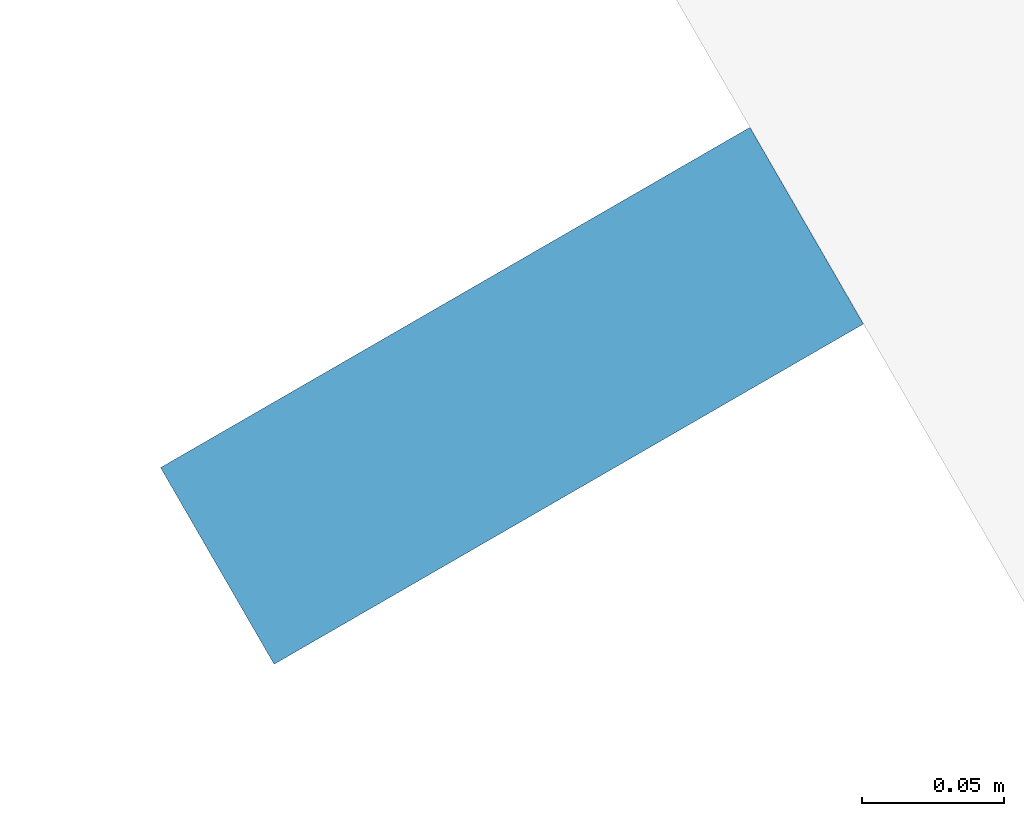
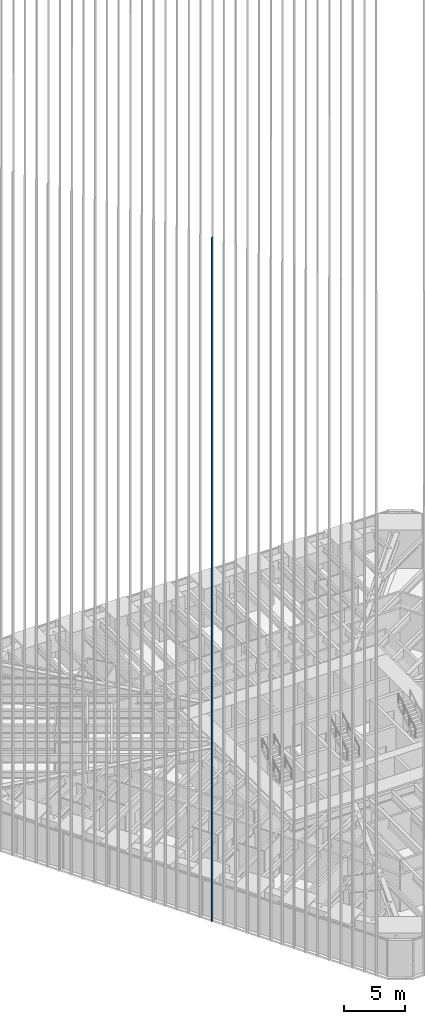
# One storey, part 10 of 256: 1 member, 1 element without a shape of its own.
"""IFC4 building model written with IfcOpenShell, lengths in metres."""

from ifc_helpers import new_model, si_unit, direction, frame, origin, origin_2d, place, context, subcontext, project, spatial, rectangle, extrude, material, material_profile, profile_set, type_object, element, aggregate, save


model = new_model("IFC4")

# Units and contexts
model_context = context("Model", 3, precision=1e-05, world=origin(), true_north=direction((0.0, 1.0)))
body_context = subcontext(model_context, "Body", "Model", "MODEL_VIEW")
ifc_project = project(units=[si_unit("LENGTHUNIT", "METRE"), si_unit("AREAUNIT", "SQUARE_METRE"), si_unit("VOLUMEUNIT", "CUBIC_METRE"), si_unit("PLANEANGLEUNIT", "RADIAN"), si_unit("MASSUNIT", "GRAM", prefix="KILO")], contexts=[model_context])

# Site, building, storey
site_placement = place(None, origin())
site = spatial("IfcSite", under=ifc_project, at=site_placement, CompositionType="ELEMENT")
building_placement = place(site_placement, origin())
building = spatial("IfcBuilding", under=site, at=building_placement, Name="Sandreach Pilgrim Tower", CompositionType="ELEMENT")
storey_placement = place(building_placement, frame((0.0, 0.0, 23.0)))
storey = spatial("IfcBuildingStorey", under=building, at=storey_placement, Name="L04", CompositionType="ELEMENT", Elevation=23.0)

# Curtain wall, member
ifc_material_1 = material(Name="Aluminium framed curtain wall", Category="aluminium")
curtain_wall_type = type_object("IfcCurtainWallType", Name="Hostel tower curtain wall", PredefinedType="NOTDEFINED", material=ifc_material_1)
curtain_wall_placement = place(storey_placement, origin())
curtain_wall = element("IfcCurtainWall", 1, at=curtain_wall_placement, inside=storey, type_object=curtain_wall_type, Name="CW-1 L04 SW", PredefinedType="NOTDEFINED")
ifc_material_2 = material(Name="Extruded terracotta on aluminium core", Category="masonry")
ifc_material_profile = material_profile(ifc_material_2, rectangle(XDim=0.080078125, YDim=0.239990234375, at=origin_2d()), Name="TBW 80X240")
ifc_profile_set = profile_set([ifc_material_profile], Name="Extruded terracotta on aluminium core")
member_type = type_object("IfcMemberType", Name="Terracotta baguette west", PredefinedType="USERDEFINED", material=ifc_profile_set)
member_placement = place(storey_placement, frame((-19.4443359375, -15.058837890625, 0.0), z_axis=(0.0, 0.0, 1.0), x_axis=(-0.5, 0.866025403784, 0.0)))
member = element("IfcMember", 2, at=member_placement, type_object=member_type, Name="Baguette Z1 SW15", ObjectType="BAGUETTE", PredefinedType="USERDEFINED", context=body_context, shape_type="SweptSolid", body=[
    extrude(rectangle(XDim=0.080078125, YDim=0.239990234375, at=origin_2d()), origin(), (0.0, 0.0, 1.0), 68.239990234375),
])
aggregate(curtain_wall, [member])

save(model, "model.ifc")
